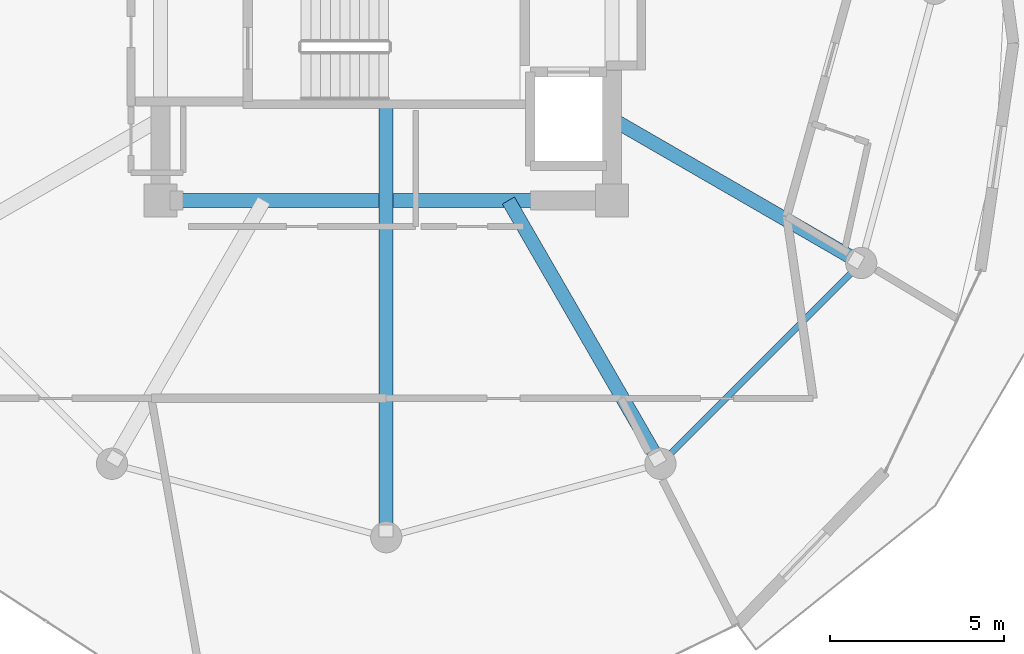
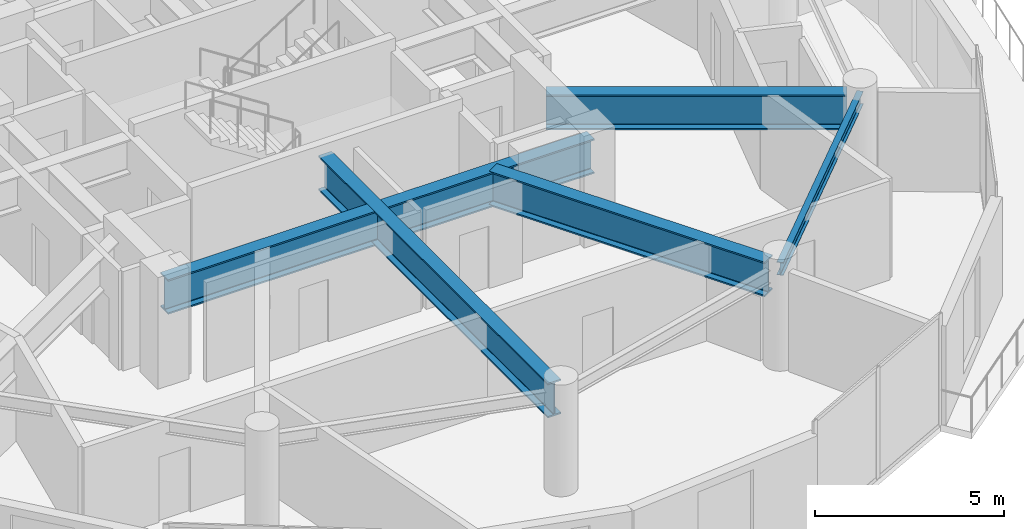
# One storey, part 5 of 22: 5 beams.
"""IFC4 building model written with IfcOpenShell, lengths in metres."""

import ifcopenshell
import ifcopenshell.guid

model = None  # the IFC model being written
_history = None  # IfcOwnerHistory: only IFC2X3 demands one
_inside = {}  # id of a spatial element -> (the spatial element, [elements in it])
_under = {}  # id of a project, library or spatial element -> (it, [spatial elements below it])
_declared = {}  # id of a project -> (the project, [libraries it declares])
_typed = {}  # id of a type object -> (the type object, [elements of that type])
_made_of = {}  # id of a material, layer set ... -> (it, [elements and type objects made of it])


def new_model(schema):
    """Start an empty IFC model of exactly this schema.

    Asked for "IFC4X3", IfcOpenShell would pick the latest addendum, in which some entities
    have other attributes; the version numbers below select the first issue.
    IFC2X3 requires an IfcOwnerHistory on every rooted entity: one is made here for all.
    """
    global model, _history
    if schema == "IFC4X3":
        model = ifcopenshell.file(schema_version=(4, 3, 0, 0))
    else:
        model = ifcopenshell.file(schema=schema)
    _inside.clear()
    _under.clear()
    _declared.clear()
    _typed.clear()
    _made_of.clear()
    _history = None
    if model.schema == "IFC2X3":
        org = make("IfcOrganization", Name="unknown")
        user = make(
            "IfcPersonAndOrganization",
            ThePerson=make("IfcPerson", FamilyName="unknown"),
            TheOrganization=org,
        )
        app = make(
            "IfcApplication",
            ApplicationDeveloper=org,
            Version="unknown",
            ApplicationFullName="unknown",
            ApplicationIdentifier="unknown",
        )
        _history = make(
            "IfcOwnerHistory",
            OwningUser=user,
            OwningApplication=app,
            ChangeAction="ADDED",
            CreationDate=0,
        )
    return model


def make(cls, **values):
    """One entity of the class cls with the attributes given. An attribute that is None is left unset."""
    return model.create_entity(
        cls, **{name: value for name, value in values.items() if value is not None}
    )


def rooted(cls, **values):
    """An entity with a GlobalId (a new one), such as an element, a storey or a relation."""
    return make(cls, GlobalId=ifcopenshell.guid.new(), OwnerHistory=_history, **values)


def si_unit(unit_type, name, prefix=None):
    """IfcSIUnit, for example si_unit("LENGTHUNIT", "METRE", prefix="MILLI")."""
    return make("IfcSIUnit", UnitType=unit_type, Prefix=prefix, Name=name)


def assignment(units):
    """IfcUnitAssignment: the units of a project."""
    return None if units is None else make("IfcUnitAssignment", Units=units)


def point(xyz):
    """IfcCartesianPoint."""
    return None if xyz is None else make("IfcCartesianPoint", Coordinates=xyz)


def direction(xyz):
    """IfcDirection."""
    return None if xyz is None else make("IfcDirection", DirectionRatios=xyz)


def frame(location, z_axis=None, x_axis=None):
    """IfcAxis2Placement3D, a coordinate frame: its origin and axes. An axis left out is left unset."""
    return make(
        "IfcAxis2Placement3D",
        Location=point(location),
        Axis=direction(z_axis),
        RefDirection=direction(x_axis),
    )


def frame_2d(location, x_axis=None):
    """IfcAxis2Placement2D, a coordinate frame in the plane: its origin and x axis."""
    return make(
        "IfcAxis2Placement2D", Location=point(location), RefDirection=direction(x_axis)
    )


def origin():
    """The frame at (0, 0, 0) with its axes left unset."""
    return frame((0.0, 0.0, 0.0))


def origin_2d():
    """The frame at (0, 0) in the plane with its x axis left unset."""
    return frame_2d((0.0, 0.0))


def place(relative_to, where):
    """IfcLocalPlacement: puts the frame where relative to a parent placement (None: the world)."""
    return make(
        "IfcLocalPlacement", PlacementRelTo=relative_to, RelativePlacement=where
    )


def context(
    kind, dimensions, precision=None, world=None, true_north=None, identifier=None
):
    """IfcGeometricRepresentationContext, for example the 3D "Model" context."""
    return make(
        "IfcGeometricRepresentationContext",
        ContextIdentifier=identifier,
        ContextType=kind,
        CoordinateSpaceDimension=dimensions,
        Precision=precision,
        WorldCoordinateSystem=world,
        TrueNorth=true_north,
    )


def subcontext(parent, identifier, kind, view, scale=None):
    """IfcGeometricRepresentationSubContext, for example "Body" below "Model"."""
    return make(
        "IfcGeometricRepresentationSubContext",
        ContextIdentifier=identifier,
        ContextType=kind,
        ParentContext=parent,
        TargetScale=scale,
        TargetView=view,
    )


def project(units=None, contexts=None):
    """IfcProject with its units and contexts."""
    return rooted(
        "IfcProject",
        Name="project",
        RepresentationContexts=contexts,
        UnitsInContext=assignment(units),
    )


def spatial(cls, under=None, at=None, **own):
    """A site, building, storey or space (cls), placed at a placement, below another one or the project."""
    s = rooted(cls, ObjectPlacement=at, **own)
    if under is not None:
        _under.setdefault(under.id(), (under, []))[1].append(s)
    return s


def profile(cls, at=None, kind="AREA", **sizes):
    """A parametric profile (cls). Its sizes go by their IFC names, for example OverallWidth=200.0."""
    return make(cls, ProfileType=kind, Position=at, **sizes)


def i_section(**sizes):
    """IfcIShapeProfileDef."""
    return profile("IfcIShapeProfileDef", **sizes)


def extrude(swept, where, along, depth):
    """IfcExtrudedAreaSolid: the profile swept, set in the frame where, extruded along a direction by depth."""
    return make(
        "IfcExtrudedAreaSolid",
        SweptArea=swept,
        Position=where,
        ExtrudedDirection=direction(along),
        Depth=depth,
    )


def shape(context_of_items, identifier, shape_type, items):
    """IfcShapeRepresentation: the items that make up one representation, for example the "Body"."""
    return make(
        "IfcShapeRepresentation",
        ContextOfItems=context_of_items,
        RepresentationIdentifier=identifier,
        RepresentationType=shape_type,
        Items=items,
    )


def material(Name=None, Category=None):
    """IfcMaterial."""
    return make("IfcMaterial", Name=Name, Category=Category)


def material_profile(
    of_material, cross_section, Name=None, Category=None, Priority=None
):
    """IfcMaterialProfile: a cross section and its material."""
    return make(
        "IfcMaterialProfile",
        Name=Name,
        Material=of_material,
        Profile=cross_section,
        Priority=Priority,
        Category=Category,
    )


def profile_set(profiles, Name=None, composite=None):
    """IfcMaterialProfileSet."""
    return make(
        "IfcMaterialProfileSet",
        Name=Name,
        MaterialProfiles=profiles,
        CompositeProfile=composite,
    )


def made_of(thing, what):
    """Note that an element or type object is made of a material, layer set ...; save() writes the relation."""
    if what is not None:
        _made_of.setdefault(what.id(), (what, []))[1].append(thing)
    return thing


def type_object(cls, material=None, **own):
    """A type object (cls), such as IfcWallType, which elements share."""
    return made_of(rooted(cls, **own), material)


def element(
    cls,
    number,
    at=None,
    inside=None,
    cuts=None,
    type_object=None,
    material=None,
    context=None,
    identifier="Body",
    shape_type=None,
    held_by="IfcProductDefinitionShape",
    body=None,
    shapes=None,
    **own,
):
    """One element of the class cls, such as IfcWall. Its Tag is "e" and its number.

    at: its placement. inside: the storey or other place that contains it. cuts: it is an
    opening in that element (IfcRelVoidsElement). A single representation is given by context,
    identifier, shape_type and body (its items); several are given by shapes. held_by: the class
    of the entity that holds the representations. save() writes the other relations.
    """
    e = rooted(cls, Tag="e%d" % number, ObjectPlacement=at, **own)
    if body is not None:
        shapes = [shape(context, identifier, shape_type, body)]
    if shapes is not None:
        e.Representation = make(held_by, Representations=shapes)
    if inside is not None:
        _inside.setdefault(inside.id(), (inside, []))[1].append(e)
    if cuts is not None:
        rooted(
            "IfcRelVoidsElement", RelatingBuildingElement=cuts, RelatedOpeningElement=e
        )
    if type_object is not None:
        _typed.setdefault(type_object.id(), (type_object, []))[1].append(e)
    return made_of(e, material)


def aggregate(whole, parts):
    """IfcRelAggregates: a whole, such as a stair, and the parts it consists of."""
    return rooted("IfcRelAggregates", RelatingObject=whole, RelatedObjects=parts)


def save(model, path):
    """Write the relations noted so far, then the file.

    IfcRelAggregates (storeys below a building ...), IfcRelContainedInSpatialStructure (elements
    in a storey), IfcRelDefinesByType, IfcRelAssociatesMaterial and IfcRelDeclares: one each for
    every whole, place, type object, material and project.
    """
    for whole, parts in _under.values():
        aggregate(whole, parts)
    for where, things in _inside.values():
        rooted(
            "IfcRelContainedInSpatialStructure",
            RelatedElements=things,
            RelatingStructure=where,
        )
    for kind, things in _typed.values():
        rooted("IfcRelDefinesByType", RelatedObjects=things, RelatingType=kind)
    for what, things in _made_of.values():
        rooted("IfcRelAssociatesMaterial", RelatedObjects=things, RelatingMaterial=what)
    for by, libraries in _declared.values():
        rooted("IfcRelDeclares", RelatingContext=by, RelatedDefinitions=libraries)
    model.write(path)


model = new_model("IFC4")

# Units and contexts
model_context = context("Model", 3, precision=1e-05, world=origin(), true_north=direction((0.0, 1.0)))
body_context = subcontext(model_context, "Body", "Model", "MODEL_VIEW")
ifc_project = project(units=[si_unit("LENGTHUNIT", "METRE"), si_unit("AREAUNIT", "SQUARE_METRE"), si_unit("VOLUMEUNIT", "CUBIC_METRE"), si_unit("PLANEANGLEUNIT", "RADIAN"), si_unit("MASSUNIT", "GRAM", prefix="KILO")], contexts=[model_context])

# Site, building, storey
site_placement = place(None, origin())
site = spatial("IfcSite", under=ifc_project, at=site_placement, CompositionType="ELEMENT")
building_placement = place(site_placement, origin())
building = spatial("IfcBuilding", under=site, at=building_placement, Name="Solvirekh Grand Hotel", CompositionType="ELEMENT")
storey_placement = place(building_placement, frame((0.0, 0.0, 230.800048828125)))
storey = spatial("IfcBuildingStorey", under=building, at=storey_placement, Name="L60", CompositionType="ELEMENT", Elevation=230.800048828125)

# Beams
ifc_material_1 = material(Name="Steel S355", Category="steel")
ifc_material_profile_1 = material_profile(ifc_material_1, i_section(OverallWidth=0.180908203125, OverallDepth=0.4169921875, WebThickness=0.010009765625, FlangeThickness=0.01611328125, FilletRadius=0.011962890625, at=origin_2d()), Name="W410X85")
ifc_profile_set_1 = profile_set([ifc_material_profile_1], Name="Steel S355")
beam_type_1 = type_object("IfcBeamType", Name="Spandrel_Ring_W410", PredefinedType="SPANDREL", material=ifc_profile_set_1)
beam_1_placement = place(storey_placement, frame((7.89990234375, -13.68310546875, 2.991943359375), z_axis=(0.707106781187, 0.707106781187, 0.0), x_axis=(-0.707106781187, 0.707106781187, 0.0)))
element("IfcBeam", 1, at=beam_1_placement, inside=storey, type_object=beam_type_1, Name="L60 perimeter spandrel beam 11", PredefinedType="SPANDREL", context=body_context, shape_type="SweptSolid", body=[
    extrude(i_section(OverallWidth=0.180908203125, OverallDepth=0.4169921875, WebThickness=0.010009765625, FlangeThickness=0.01611328125, FilletRadius=0.011962890625, at=origin_2d()), origin(), (0.0, 0.0, 1.0), 8.1787109375),
])
ifc_material_2 = material(Name="Steel S460", Category="steel")
ifc_material_profile_2 = material_profile(ifc_material_2, i_section(OverallWidth=0.405029296875, OverallDepth=1.117919921875, WebThickness=0.02587890625, FlangeThickness=0.048095703125, FilletRadius=0.02392578125, at=origin_2d()), Name="W1100X499")
ifc_profile_set_2 = profile_set([ifc_material_profile_2], Name="Steel S460")
beam_type_2 = type_object("IfcBeamType", Name="TransferGirder_W1100", PredefinedType="USERDEFINED", material=ifc_profile_set_2)
beam_2_placement = place(storey_placement, frame((-6.5, -6.10009765625, 2.640869140625), z_axis=(1.0, 0.0, 0.0), x_axis=(0.0, 1.0, 0.0)))
element("IfcBeam", 2, at=beam_2_placement, inside=storey, type_object=beam_type_2, Name="L60 core coupling ring beam 1", ObjectType="TRANSFER GIRDER", PredefinedType="USERDEFINED", context=body_context, shape_type="SweptSolid", body=[
    extrude(i_section(OverallWidth=0.405029296875, OverallDepth=1.117919921875, WebThickness=0.02587890625, FlangeThickness=0.048095703125, FilletRadius=0.02392578125, at=origin_2d()), origin(), (0.0, 0.0, 1.0), 13.0),
])
beam_3_placement = place(storey_placement, frame((0.0, -3.324951171875, 2.640869140625), z_axis=(0.0, -1.0, 0.0), x_axis=(1.0, 0.0, 0.0)))
element("IfcBeam", 3, at=beam_3_placement, inside=storey, type_object=beam_type_2, Name="L60 inner radial transfer girder 10A", ObjectType="TRANSFER GIRDER", PredefinedType="USERDEFINED", context=body_context, shape_type="SweptSolid", body=[
    extrude(i_section(OverallWidth=0.405029296875, OverallDepth=1.117919921875, WebThickness=0.02587890625, FlangeThickness=0.048095703125, FilletRadius=0.02392578125, at=origin_2d()), origin(), (0.0, 0.0, 1.0), 12.125),
])
beam_4_placement = place(storey_placement, frame((3.52001953125, -6.10009765625, 2.640869140625), z_axis=(0.500186636498, -0.865917622334, 0.0), x_axis=(0.865917622334, 0.500186636498, 0.0)))
element("IfcBeam", 4, at=beam_4_placement, inside=storey, type_object=beam_type_2, Name="L60 inner radial transfer girder 11A", ObjectType="TRANSFER GIRDER", PredefinedType="USERDEFINED", context=body_context, shape_type="SweptSolid", body=[
    extrude(i_section(OverallWidth=0.405029296875, OverallDepth=1.117919921875, WebThickness=0.02587890625, FlangeThickness=0.048095703125, FilletRadius=0.02392578125, at=origin_2d()), origin(), (0.0, 0.0, 1.0), 8.406982421875),
])
beam_5_placement = place(storey_placement, frame((6.5, -3.7509765625, 2.640869140625), z_axis=(0.865915353139, -0.500190564883, 0.0), x_axis=(0.500190564883, 0.865915353139, 0.0)))
element("IfcBeam", 5, at=beam_5_placement, inside=storey, type_object=beam_type_2, Name="L60 inner radial transfer girder 12A", ObjectType="TRANSFER GIRDER", PredefinedType="USERDEFINED", context=body_context, shape_type="SweptSolid", body=[
    extrude(i_section(OverallWidth=0.405029296875, OverallDepth=1.117919921875, WebThickness=0.02587890625, FlangeThickness=0.048095703125, FilletRadius=0.02392578125, at=origin_2d()), origin(), (0.0, 0.0, 1.0), 7.9453125),
])

save(model, "model.ifc")
